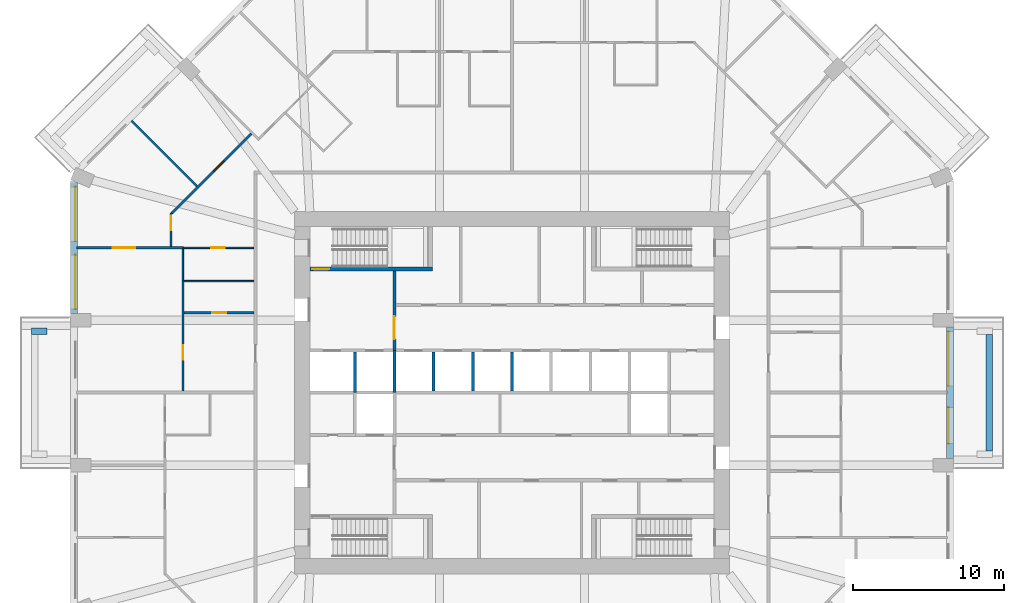
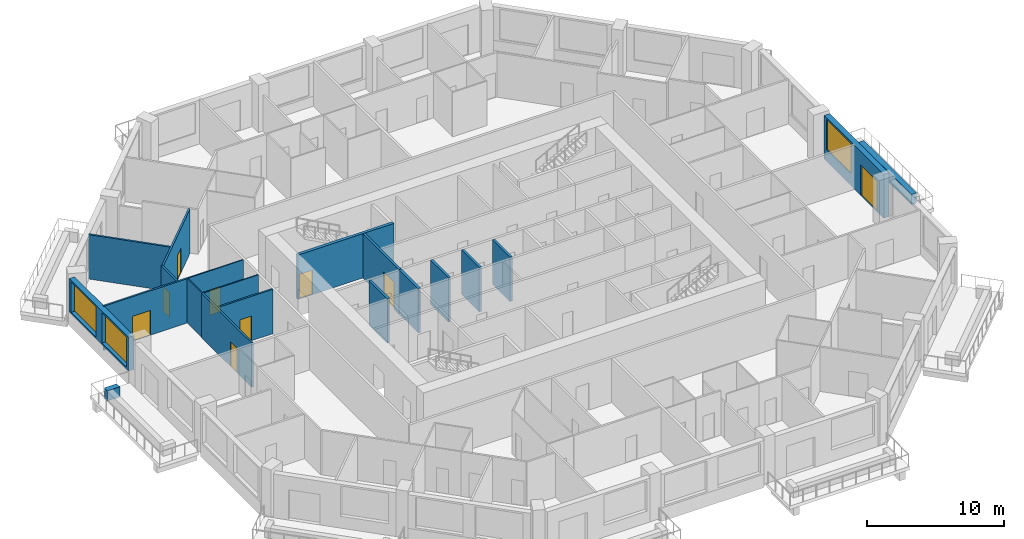
# One storey, part 7 of 13: 20 walls, 9 doors, 3 windows, 12 openings.
"""IFC4 building model written with IfcOpenShell, lengths in metres."""

from ifc_helpers import new_model, si_unit, direction, frame, frame_2d, origin, place, context, subcontext, project, spatial, rectangle, extrude, material, layer, layer_set, type_object, element, fill, save


model = new_model("IFC4")

# Units and contexts
model_context = context("Model", 3, precision=1e-05, world=origin(), true_north=direction((0.0, 1.0)))
body_context = subcontext(model_context, "Body", "Model", "MODEL_VIEW")
ifc_project = project(units=[si_unit("LENGTHUNIT", "METRE"), si_unit("AREAUNIT", "SQUARE_METRE"), si_unit("VOLUMEUNIT", "CUBIC_METRE"), si_unit("PLANEANGLEUNIT", "RADIAN"), si_unit("MASSUNIT", "GRAM", prefix="KILO")], contexts=[model_context])

# Site, building, storey
site_placement = place(None, origin())
site = spatial("IfcSite", under=ifc_project, at=site_placement, CompositionType="ELEMENT")
building_placement = place(site_placement, origin())
building = spatial("IfcBuilding", under=site, at=building_placement, Name="Msitu Wima Residences", CompositionType="ELEMENT")
storey_placement = place(building_placement, frame((0.0, 0.0, 38.10009765625)))
storey = spatial("IfcBuildingStorey", under=building, at=storey_placement, Name="L08", CompositionType="ELEMENT", Elevation=38.10009765625)

# Walls
ifc_material_1 = material(Name="Facing brick")
ifc_layer_1 = layer(ifc_material_1, 0.06494140625, Name="Facing brick")
ifc_material_2 = material(Name="Concrete C40/50", Category="concrete")
ifc_layer_2 = layer(ifc_material_2, 0.156005859375, Name="Concrete C40/50")
ifc_material_3 = material(Name="Waterproofing membrane")
ifc_layer_3 = layer(ifc_material_3, 0.00390625, Name="Waterproofing membrane")
ifc_material_4 = material(Name="Planting soil and planting")
ifc_layer_4 = layer(ifc_material_4, 0.22509765625, Name="Planting soil and planting")
ifc_layer_set_1 = layer_set([ifc_layer_1, ifc_layer_2, ifc_layer_3, ifc_layer_4], Name="Concrete C40/50")
wall_type_1 = type_object("IfcWallType", Name="Balcony planter PLANTER PL450", PredefinedType="USERDEFINED", material=ifc_layer_set_1)
wall_1_placement = place(storey_placement, frame((31.625, -3.85009765625, 0.0), z_axis=(0.0, 0.0, 1.0), x_axis=(0.0, 1.0, 0.0)))
element("IfcWall", 1, at=wall_1_placement, inside=storey, type_object=wall_type_1, Name="Balcony planter E1 L08", ObjectType="PLANTER", PredefinedType="USERDEFINED", context=body_context, shape_type="SweptSolid", body=[
    extrude(rectangle(XDim=7.7001953125, YDim=0.449951171875, at=frame_2d((3.85009765625, 0.0))), origin(), (0.0, 0.0, 1.0), 0.89990234375),
])
wall_2_placement = place(storey_placement, frame((-30.800048828125, 4.074951171875, 0.0), z_axis=(0.0, 0.0, 1.0), x_axis=(-1.0, 0.0, 0.0)))
element("IfcWall", 2, at=wall_2_placement, inside=storey, type_object=wall_type_1, Name="Balcony planter W1 L08", ObjectType="PLANTER", PredefinedType="USERDEFINED", context=body_context, shape_type="SweptSolid", body=[
    extrude(rectangle(XDim=1.050048828125, YDim=0.449951171875, at=frame_2d((0.52490234375, 0.0))), origin(), (0.0, 0.0, 1.0), 0.89990234375),
])

# Wall, openings, door, window
ifc_material_5 = material(Name="Brick (red buff mix)", Category="masonry")
ifc_layer_5 = layer(ifc_material_5, 0.449951171875)
ifc_layer_set_2 = layer_set([ifc_layer_5], Name="Brick (red buff mix)")
wall_type_2 = type_object("IfcWallType", Name="Brick infill wall BW450", PredefinedType="SOLIDWALL", material=ifc_layer_set_2)
wall_3_placement = place(storey_placement, frame((29.02490234375, -4.35009765625, 0.0), z_axis=(0.0, 0.0, 1.0), x_axis=(0.0, 1.0, 0.0)))
wall_3 = element("IfcWall", 3, at=wall_3_placement, inside=storey, type_object=wall_type_2, Name="Brick infill wall L08 E1", PredefinedType="SOLIDWALL", context=body_context, shape_type="SweptSolid", body=[
    extrude(rectangle(XDim=8.7001953125, YDim=0.449951171875, at=frame_2d((4.35009765625, 0.0))), origin(), (0.0, 0.0, 1.0), 3.89990234375),
])
opening_1_placement = place(wall_3_placement, frame((0.97509765625, 0.0, 0.0)))
opening_1 = element("IfcOpeningElement", 4, at=opening_1_placement, cuts=wall_3, Name="Opening D08-10.001", PredefinedType="OPENING", context=body_context, shape_type="SweptSolid", body=[
    extrude(rectangle(XDim=2.39990234375, YDim=2.699951171875, at=frame_2d((1.199951171875, 1.35009765625))), frame((0.0, 0.23486328125, 0.0), z_axis=(0.0, -1.0, 0.0), x_axis=(1.0, 0.0, 0.0)), (0.0, 0.0, 1.0), 0.469970703125),
])
opening_2_placement = place(wall_3_placement, frame((4.800048828125, 0.0, 1.050048828125)))
opening_2 = element("IfcOpeningElement", 5, at=opening_2_placement, cuts=wall_3, Name="Opening W08-10.003", PredefinedType="OPENING", context=body_context, shape_type="SweptSolid", body=[
    extrude(rectangle(XDim=3.60009765625, YDim=2.699951171875, at=frame_2d((1.800048828125, 1.35009765625))), frame((0.0, 0.23486328125, 0.0), z_axis=(0.0, -1.0, 0.0), x_axis=(1.0, 0.0, 0.0)), (0.0, 0.0, 1.0), 0.469970703125),
])
ifc_material_6 = material(Name="Anodised aluminium, bronze finish, clear low-emissivity double glazing", Category="aluminium")
door_type_1 = type_object("IfcDoorType", Name="Balcony door D2400x2700", OperationType="SLIDING_TO_LEFT", PredefinedType="DOOR", material=ifc_material_6)
door_1_placement = place(opening_1_placement, origin())
door_1 = element("IfcDoor", 6, at=door_1_placement, inside=storey, type_object=door_type_1, Name="Balcony door L08 E1", OperationType="SINGLE_SWING_LEFT", OverallHeight=2.699951171875, OverallWidth=2.39990234375, PredefinedType="DOOR", context=body_context, shape_type="SweptSolid", body=[
    extrude(rectangle(XDim=2.39990234375, YDim=2.699951171875, at=frame_2d((1.199951171875, 1.35009765625))), frame((0.0, 0.1298828125, 0.0), z_axis=(0.0, -1.0, 0.0), x_axis=(1.0, 0.0, 0.0)), (0.0, 0.0, 1.0), 0.050048828125),
])
fill(opening_1, door_1)
window_type = type_object("IfcWindowType", Name="Window W3600x2700", PartitioningType="DOUBLE_PANEL_VERTICAL", PredefinedType="WINDOW", material=ifc_material_6)
window_1_placement = place(opening_2_placement, origin())
window_1 = element("IfcWindow", 7, at=window_1_placement, inside=storey, type_object=window_type, Name="Window L08 E1.2", OverallHeight=2.699951171875, OverallWidth=3.60009765625, PartitioningType="SINGLE_PANEL", PredefinedType="WINDOW", context=body_context, shape_type="SweptSolid", body=[
    extrude(rectangle(XDim=3.60009765625, YDim=2.699951171875, at=frame_2d((1.800048828125, 1.35009765625))), frame((0.0, 0.135009765625, 0.0), z_axis=(0.0, -1.0, 0.0), x_axis=(1.0, 0.0, 0.0)), (0.0, 0.0, 1.0), 0.06005859375),
])
fill(opening_2, window_1)

# Wall, openings, windows
wall_4_placement = place(storey_placement, frame((-29.02490234375, 13.912841796875, 0.89990234375), z_axis=(0.0, 0.0, 1.0), x_axis=(0.0, -1.0, 0.0)))
wall_4 = element("IfcWall", 8, at=wall_4_placement, inside=storey, type_object=wall_type_2, Name="Brick infill wall L08 W0", PredefinedType="SOLIDWALL", context=body_context, shape_type="SweptSolid", body=[
    extrude(rectangle(XDim=8.662841796875, YDim=0.449951171875, at=frame_2d((4.33154296875, 0.0))), origin(), (0.0, 0.0, 1.0), 3.0),
])
opening_3_placement = place(wall_4_placement, frame((0.281494140625, 0.0, 0.14990234375)))
opening_3 = element("IfcOpeningElement", 9, at=opening_3_placement, cuts=wall_4, Name="Opening W08-10.026", PredefinedType="OPENING", context=body_context, shape_type="SweptSolid", body=[
    extrude(rectangle(XDim=3.60009765625, YDim=2.699951171875, at=frame_2d((1.800048828125, 1.35009765625))), frame((0.0, 0.23486328125, 0.0), z_axis=(0.0, -1.0, 0.0), x_axis=(1.0, 0.0, 0.0)), (0.0, 0.0, 1.0), 0.469970703125),
])
opening_4_placement = place(wall_4_placement, frame((4.781494140625, 0.0, 0.14990234375)))
opening_4 = element("IfcOpeningElement", 10, at=opening_4_placement, cuts=wall_4, Name="Opening W08-10.027", PredefinedType="OPENING", context=body_context, shape_type="SweptSolid", body=[
    extrude(rectangle(XDim=3.60009765625, YDim=2.699951171875, at=frame_2d((1.800048828125, 1.35009765625))), frame((0.0, 0.23486328125, 0.0), z_axis=(0.0, -1.0, 0.0), x_axis=(1.0, 0.0, 0.0)), (0.0, 0.0, 1.0), 0.469970703125),
])
window_2_placement = place(opening_3_placement, origin())
window_2 = element("IfcWindow", 11, at=window_2_placement, inside=storey, type_object=window_type, Name="Window L08 W0.1", OverallHeight=2.699951171875, OverallWidth=3.60009765625, PartitioningType="SINGLE_PANEL", PredefinedType="WINDOW", context=body_context, shape_type="SweptSolid", body=[
    extrude(rectangle(XDim=3.60009765625, YDim=2.699951171875, at=frame_2d((1.800048828125, 1.35009765625))), frame((0.0, 0.135009765625, 0.0), z_axis=(0.0, -1.0, 0.0), x_axis=(1.0, 0.0, 0.0)), (0.0, 0.0, 1.0), 0.06005859375),
])
fill(opening_3, window_2)
window_3_placement = place(opening_4_placement, origin())
window_3 = element("IfcWindow", 12, at=window_3_placement, inside=storey, type_object=window_type, Name="Window L08 W0.2", OverallHeight=2.699951171875, OverallWidth=3.60009765625, PartitioningType="SINGLE_PANEL", PredefinedType="WINDOW", context=body_context, shape_type="SweptSolid", body=[
    extrude(rectangle(XDim=3.60009765625, YDim=2.699951171875, at=frame_2d((1.800048828125, 1.35009765625))), frame((0.0, 0.135009765625, 0.0), z_axis=(0.0, -1.0, 0.0), x_axis=(1.0, 0.0, 0.0)), (0.0, 0.0, 1.0), 0.06005859375),
])
fill(opening_4, window_3)

# Wall, opening, door
ifc_material_7 = material(Name="Plaster")
ifc_layer_6 = layer(ifc_material_7, 0.011962890625, Name="Plaster")
ifc_material_8 = material(Name="Concrete blockwork", Category="masonry")
ifc_layer_7 = layer(ifc_material_8, 0.176025390625, Name="Concrete blockwork")
ifc_layer_8 = layer(ifc_material_7, 0.011962890625, Name="Plaster")
ifc_layer_set_3 = layer_set([ifc_layer_6, ifc_layer_7, ifc_layer_8], Name="Concrete blockwork")
wall_type_3 = type_object("IfcWallType", Name="Corridor wall FW200", PredefinedType="PARTITIONING", material=ifc_layer_set_3)
wall_5_placement = place(storey_placement, frame((-7.800048828125, 2.800048828125, 0.0), z_axis=(0.0, 0.0, 1.0), x_axis=(0.0, 1.0, 0.0)))
wall_5 = element("IfcWall", 13, at=wall_5_placement, inside=storey, type_object=wall_type_3, Name="Corridor wall", PredefinedType="PARTITIONING", context=body_context, shape_type="SweptSolid", body=[
    extrude(rectangle(XDim=5.27490234375, YDim=0.199951171875, at=frame_2d((2.637451171875, 0.0))), origin(), (0.0, 0.0, 1.0), 3.949951171875),
])
opening_5_placement = place(wall_5_placement, frame((0.75, 0.0, 0.0)))
opening_5 = element("IfcOpeningElement", 14, at=opening_5_placement, cuts=wall_5, Name="Opening D08-10.017", PredefinedType="OPENING", context=body_context, shape_type="SweptSolid", body=[
    extrude(rectangle(XDim=1.5, YDim=2.39990234375, at=frame_2d((0.75, 1.199951171875))), frame((0.0, 0.10986328125, 0.0), z_axis=(0.0, -1.0, 0.0), x_axis=(1.0, 0.0, 0.0)), (0.0, 0.0, 1.0), 0.219970703125),
])
ifc_material_9 = material(Name="Steel framed glazed door, fire resisting", Category="steel")
door_type_2 = type_object("IfcDoorType", Name="Lobby door D07 1500x2400", OperationType="DOUBLE_DOOR_SINGLE_SWING", PredefinedType="DOOR", material=ifc_material_9)
door_2_placement = place(opening_5_placement, origin())
door_2 = element("IfcDoor", 15, at=door_2_placement, inside=storey, type_object=door_type_2, Name="Lobby door", OperationType="DOUBLE_DOOR_SINGLE_SWING", OverallHeight=2.39990234375, OverallWidth=1.5, PredefinedType="DOOR", context=body_context, shape_type="SweptSolid", body=[
    extrude(rectangle(XDim=1.5, YDim=2.39990234375, at=frame_2d((0.75, 1.199951171875))), frame((0.0, 0.02490234375, 0.0), z_axis=(0.0, -1.0, 0.0), x_axis=(1.0, 0.0, 0.0)), (0.0, 0.0, 1.0), 0.050048828125),
])
fill(opening_5, door_2)

ifc_layer_9 = layer(ifc_material_7, 0.011962890625, Name="Plaster")
ifc_layer_10 = layer(ifc_material_8, 0.1259765625, Name="Concrete blockwork")
ifc_layer_11 = layer(ifc_material_7, 0.011962890625, Name="Plaster")
ifc_layer_set_4 = layer_set([ifc_layer_9, ifc_layer_10, ifc_layer_11], Name="Concrete blockwork")
wall_type_4 = type_object("IfcWallType", Name="Partition PW150", PredefinedType="PARTITIONING", material=ifc_layer_set_4)
wall_6_placement = place(storey_placement, frame((-28.85498046875, 9.60009765625, 0.0), z_axis=(0.0, 0.0, 1.0), x_axis=(1.0, 0.0, 0.0)))
wall_6 = element("IfcWall", 16, at=wall_6_placement, inside=storey, type_object=wall_type_4, Name="Partition", PredefinedType="PARTITIONING", context=body_context, shape_type="SweptSolid", body=[
    extrude(rectangle(XDim=7.074951171875, YDim=0.14990234375, at=frame_2d((3.53759765625, 0.0))), origin(), (0.0, 0.0, 1.0), 3.949951171875),
])
opening_6_placement = place(wall_6_placement, frame((2.39990234375, 0.0, 0.0)))
opening_6 = element("IfcOpeningElement", 17, at=opening_6_placement, cuts=wall_6, Name="Opening D08-10.045", PredefinedType="OPENING", context=body_context, shape_type="SweptSolid", body=[
    extrude(rectangle(XDim=1.5, YDim=2.199951171875, at=frame_2d((0.75, 1.10009765625))), frame((0.0, 0.0849609375, 0.0), z_axis=(0.0, -1.0, 0.0), x_axis=(1.0, 0.0, 0.0)), (0.0, 0.0, 1.0), 0.169921875),
])
ifc_material_10 = material(Name="Timber double door", Category="wood")
door_type_3 = type_object("IfcDoorType", Name="Double door D04 1500x2200", OperationType="DOUBLE_DOOR_SINGLE_SWING", PredefinedType="DOOR", material=ifc_material_10)
door_3_placement = place(opening_6_placement, origin())
door_3 = element("IfcDoor", 18, at=door_3_placement, inside=storey, type_object=door_type_3, Name="Double door", OperationType="DOUBLE_DOOR_SINGLE_SWING", OverallHeight=2.199951171875, OverallWidth=1.5, PredefinedType="DOOR", context=body_context, shape_type="SweptSolid", body=[
    extrude(rectangle(XDim=1.5, YDim=2.199951171875, at=frame_2d((0.75, 1.10009765625))), frame((0.0, 0.02490234375, 0.0), z_axis=(0.0, -1.0, 0.0), x_axis=(1.0, 0.0, 0.0)), (0.0, 0.0, 1.0), 0.050048828125),
])
fill(opening_6, door_3)

# Wall
wall_7_placement = place(storey_placement, frame((-25.2177734375, 18.017578125, 0.0), z_axis=(0.0, 0.0, 1.0), x_axis=(0.707126629519, -0.707086932297, 0.0)))
element("IfcWall", 19, at=wall_7_placement, inside=storey, type_object=wall_type_4, Name="Partition", PredefinedType="PARTITIONING", context=body_context, shape_type="SweptSolid", body=[
    extrude(rectangle(XDim=6.150146484375, YDim=0.14990234375, at=frame_2d((3.0751953125, 0.0))), origin(), (0.0, 0.0, 1.0), 3.949951171875),
])

# Wall, opening, door
wall_8_placement = place(storey_placement, frame((-22.60009765625, 9.675048828125, 0.0), z_axis=(0.0, 0.0, 1.0), x_axis=(0.0, 1.0, 0.0)))
wall_8 = element("IfcWall", 20, at=wall_8_placement, inside=storey, type_object=wall_type_4, Name="Partition", PredefinedType="PARTITIONING", context=body_context, shape_type="SweptSolid", body=[
    extrude(rectangle(XDim=2.23193359375, YDim=0.14990234375, at=frame_2d((1.115966796875, 0.0))), origin(), (0.0, 0.0, 1.0), 3.949951171875),
])
opening_7_placement = place(wall_8_placement, frame((1.10009765625, 0.0, 0.0)))
opening_7 = element("IfcOpeningElement", 21, at=opening_7_placement, cuts=wall_8, Name="Opening D08-10.047", PredefinedType="OPENING", context=body_context, shape_type="SweptSolid", body=[
    extrude(rectangle(XDim=0.949951171875, YDim=2.199951171875, at=frame_2d((0.47509765625, 1.10009765625))), frame((0.0, 0.0849609375, 0.0), z_axis=(0.0, -1.0, 0.0), x_axis=(1.0, 0.0, 0.0)), (0.0, 0.0, 1.0), 0.169921875),
])
ifc_material_11 = material(Name="Timber flush door", Category="wood")
door_type_4 = type_object("IfcDoorType", Name="Room door D12 950x2200", OperationType="SINGLE_SWING_LEFT", PredefinedType="DOOR", material=ifc_material_11)
door_4_placement = place(opening_7_placement, origin())
door_4 = element("IfcDoor", 22, at=door_4_placement, inside=storey, type_object=door_type_4, Name="Room door", OperationType="SINGLE_SWING_LEFT", OverallHeight=2.199951171875, OverallWidth=0.949951171875, PredefinedType="DOOR", context=body_context, shape_type="SweptSolid", body=[
    extrude(rectangle(XDim=0.949951171875, YDim=2.199951171875, at=frame_2d((0.47509765625, 1.10009765625))), frame((0.0, 0.02490234375, 0.0), z_axis=(0.0, -1.0, 0.0), x_axis=(1.0, 0.0, 0.0)), (0.0, 0.0, 1.0), 0.050048828125),
])
fill(opening_7, door_4)

wall_9_placement = place(storey_placement, frame((-22.546875, 11.885009765625, 0.0), z_axis=(0.0, 0.0, 1.0), x_axis=(0.707106781187, 0.707106781187, 0.0)))
wall_9 = element("IfcWall", 23, at=wall_9_placement, inside=storey, type_object=wall_type_4, Name="Partition", PredefinedType="PARTITIONING", context=body_context, shape_type="SweptSolid", body=[
    extrude(rectangle(XDim=7.4638671875, YDim=0.14990234375, at=frame_2d((3.73193359375, 0.0))), origin(), (0.0, 0.0, 1.0), 3.949951171875),
])
opening_8_placement = place(wall_9_placement, frame((3.949951171875, 0.0, 0.0)))
opening_8 = element("IfcOpeningElement", 24, at=opening_8_placement, cuts=wall_9, Name="Opening D08-10.048", PredefinedType="OPENING", context=body_context, shape_type="SweptSolid", body=[
    extrude(rectangle(XDim=0.949951171875, YDim=2.199951171875, at=frame_2d((0.47509765625, 1.10009765625))), frame((0.0, 0.0849609375, 0.0), z_axis=(0.0, -1.0, 0.0), x_axis=(1.0, 0.0, 0.0)), (0.0, 0.0, 1.0), 0.169921875),
])
door_5_placement = place(opening_8_placement, origin())
door_5 = element("IfcDoor", 25, at=door_5_placement, inside=storey, type_object=door_type_4, Name="Room door", OperationType="SINGLE_SWING_LEFT", OverallHeight=2.199951171875, OverallWidth=0.949951171875, PredefinedType="DOOR", context=body_context, shape_type="SweptSolid", body=[
    extrude(rectangle(XDim=0.949951171875, YDim=2.199951171875, at=frame_2d((0.47509765625, 1.10009765625))), frame((0.0, 0.02490234375, 0.0), z_axis=(0.0, -1.0, 0.0), x_axis=(1.0, 0.0, 0.0)), (0.0, 0.0, 1.0), 0.050048828125),
])
fill(opening_8, door_5)

wall_10_placement = place(storey_placement, frame((-21.800048828125, 0.10009765625, 0.0), z_axis=(0.0, 0.0, 1.0), x_axis=(0.0, 1.0, 0.0)))
wall_10 = element("IfcWall", 26, at=wall_10_placement, inside=storey, type_object=wall_type_4, Name="Partition", PredefinedType="PARTITIONING", context=body_context, shape_type="SweptSolid", body=[
    extrude(rectangle(XDim=7.31982421875, YDim=0.14990234375, at=frame_2d((3.659912109375, 0.0))), origin(), (0.0, 0.0, 1.0), 3.949951171875),
])
opening_9_placement = place(wall_10_placement, frame((2.10009765625, 0.0, 0.0)))
opening_9 = element("IfcOpeningElement", 27, at=opening_9_placement, cuts=wall_10, Name="Opening D08-10.044", PredefinedType="OPENING", context=body_context, shape_type="SweptSolid", body=[
    extrude(rectangle(XDim=0.949951171875, YDim=2.199951171875, at=frame_2d((0.47509765625, 1.10009765625))), frame((0.0, 0.0849609375, 0.0), z_axis=(0.0, -1.0, 0.0), x_axis=(1.0, 0.0, 0.0)), (0.0, 0.0, 1.0), 0.169921875),
])
door_6_placement = place(opening_9_placement, origin())
door_6 = element("IfcDoor", 28, at=door_6_placement, inside=storey, type_object=door_type_4, Name="Room door", OperationType="SINGLE_SWING_LEFT", OverallHeight=2.199951171875, OverallWidth=0.949951171875, PredefinedType="DOOR", context=body_context, shape_type="SweptSolid", body=[
    extrude(rectangle(XDim=0.949951171875, YDim=2.199951171875, at=frame_2d((0.47509765625, 1.10009765625))), frame((0.0, 0.02490234375, 0.0), z_axis=(0.0, -1.0, 0.0), x_axis=(1.0, 0.0, 0.0)), (0.0, 0.0, 1.0), 0.050048828125),
])
fill(opening_9, door_6)

wall_11_placement = place(storey_placement, frame((-21.72509765625, 5.300048828125, 0.0), z_axis=(0.0, 0.0, 1.0), x_axis=(1.0, 0.0, 0.0)))
wall_11 = element("IfcWall", 29, at=wall_11_placement, inside=storey, type_object=wall_type_4, Name="Partition", PredefinedType="PARTITIONING", context=body_context, shape_type="SweptSolid", body=[
    extrude(rectangle(XDim=4.625, YDim=0.14990234375, at=frame_2d((2.3125, 0.0))), origin(), (0.0, 0.0, 1.0), 3.949951171875),
])
opening_10_placement = place(wall_11_placement, frame((1.85009765625, 0.0, 0.0)))
opening_10 = element("IfcOpeningElement", 30, at=opening_10_placement, cuts=wall_11, Name="Opening D08-10.046", PredefinedType="OPENING", context=body_context, shape_type="SweptSolid", body=[
    extrude(rectangle(XDim=0.949951171875, YDim=2.199951171875, at=frame_2d((0.47509765625, 1.10009765625))), frame((0.0, 0.0849609375, 0.0), z_axis=(0.0, -1.0, 0.0), x_axis=(1.0, 0.0, 0.0)), (0.0, 0.0, 1.0), 0.169921875),
])
door_7_placement = place(opening_10_placement, origin())
door_7 = element("IfcDoor", 31, at=door_7_placement, inside=storey, type_object=door_type_4, Name="Room door", OperationType="SINGLE_SWING_RIGHT", OverallHeight=2.199951171875, OverallWidth=0.949951171875, PredefinedType="DOOR", context=body_context, shape_type="SweptSolid", body=[
    extrude(rectangle(XDim=0.949951171875, YDim=2.199951171875, at=frame_2d((0.47509765625, 1.10009765625))), frame((0.0, 0.02490234375, 0.0), z_axis=(0.0, -1.0, 0.0), x_axis=(1.0, 0.0, 0.0)), (0.0, 0.0, 1.0), 0.050048828125),
])
fill(opening_10, door_7)

# Walls
ifc_material_12 = material(Name="Fire-rated board")
ifc_layer_12 = layer(ifc_material_12, 0.02490234375, Name="Fire-rated board")
ifc_material_13 = material(Name="Light-gauge stud framing with mineral wool")
ifc_layer_13 = layer(ifc_material_13, 0.14990234375, Name="Light-gauge stud framing with mineral wool")
ifc_layer_14 = layer(ifc_material_12, 0.02490234375, Name="Fire-rated board")
ifc_layer_set_5 = layer_set([ifc_layer_12, ifc_layer_13, ifc_layer_14], Name="Light-gauge stud framing with mineral wool")
wall_type_5 = type_object("IfcWallType", Name="Shaft wall SH200", PredefinedType="PARTITIONING", material=ifc_layer_set_5)
wall_12_placement = place(storey_placement, frame((-10.39990234375, 0.0, 0.0), z_axis=(0.0, 0.0, 1.0), x_axis=(0.0, 1.0, 0.0)))
element("IfcWall", 32, at=wall_12_placement, inside=storey, type_object=wall_type_5, Name="Shaft wall", PredefinedType="PARTITIONING", context=body_context, shape_type="SweptSolid", body=[
    extrude(rectangle(XDim=2.699951171875, YDim=0.199951171875, at=frame_2d((1.35009765625, 0.0))), origin(), (0.0, 0.0, 1.0), 3.949951171875),
])
wall_13_placement = place(storey_placement, frame((-7.800048828125, 0.0, 0.0), z_axis=(0.0, 0.0, 1.0), x_axis=(0.0, 1.0, 0.0)))
element("IfcWall", 33, at=wall_13_placement, inside=storey, type_object=wall_type_5, Name="Shaft wall", PredefinedType="PARTITIONING", context=body_context, shape_type="SweptSolid", body=[
    extrude(rectangle(XDim=2.800048828125, YDim=0.199951171875, at=frame_2d((1.39990234375, 0.0))), origin(), (0.0, 0.0, 1.0), 3.949951171875),
])
for number, where, z_axis, x_axis, name in (
    (34, (-5.199951171875, 0.10009765625, 0.0), (0.0, 0.0, 1.0), (0.0, 1.0, 0.0), "Shaft wall"),
    (35, (-2.60009765625, 0.10009765625, 0.0), (0.0, 0.0, 1.0), (0.0, 1.0, 0.0), "Shaft wall"),
    (36, (0.0, 0.10009765625, 0.0), (0.0, 0.0, 1.0), (0.0, 1.0, 0.0), "Shaft wall"),
):
    element("IfcWall", number, at=place(storey_placement, frame(where, z_axis=z_axis, x_axis=x_axis)), inside=storey, type_object=wall_type_5, Name=name, PredefinedType="PARTITIONING", context=body_context, shape_type="SweptSolid", body=[
        extrude(rectangle(XDim=2.599853515625, YDim=0.199951171875, at=frame_2d((1.2998046875, 0.0))), origin(), (0.0, 0.0, 1.0), 3.949951171875),
    ])

# Wall, opening, door
ifc_material_14 = material(Name="Concrete C50/60", Category="concrete")
ifc_layer_15 = layer(ifc_material_14, 0.25)
ifc_layer_set_6 = layer_set([ifc_layer_15], Name="Concrete C50/60")
wall_type_6 = type_object("IfcWallType", Name="Stair enclosure wall SW250", PredefinedType="SHEAR", material=ifc_layer_set_6)
wall_14_placement = place(storey_placement, frame((-13.3701171875, 8.199951171875, 0.0), z_axis=(0.0, 0.0, 1.0), x_axis=(1.0, 0.0, 0.0)))
wall_14 = element("IfcWall", 37, at=wall_14_placement, inside=storey, type_object=wall_type_6, Name="Stair enclosure wall", PredefinedType="SHEAR", context=body_context, shape_type="SweptSolid", body=[
    extrude(rectangle(XDim=8.09521484375, YDim=0.25, at=frame_2d((4.047607421875, 0.0))), origin(), (0.0, 0.0, 1.0), 3.949951171875),
])
opening_11_placement = place(wall_14_placement, frame((0.14990234375, 0.0, 0.0)))
opening_11 = element("IfcOpeningElement", 38, at=opening_11_placement, cuts=wall_14, Name="Opening D08-10.036", PredefinedType="OPENING", context=body_context, shape_type="SweptSolid", body=[
    extrude(rectangle(XDim=1.10009765625, YDim=2.199951171875, at=frame_2d((0.550048828125, 1.10009765625))), frame((0.0, 0.135009765625, 0.0), z_axis=(0.0, -1.0, 0.0), x_axis=(1.0, 0.0, 0.0)), (0.0, 0.0, 1.0), 0.27001953125),
])
ifc_material_15 = material(Name="Steel door, fire resisting, panic bar", Category="steel")
door_type_5 = type_object("IfcDoorType", Name="Stair door D06 1100x2200", OperationType="SINGLE_SWING_LEFT", PredefinedType="DOOR", material=ifc_material_15)
door_8_placement = place(opening_11_placement, origin())
door_8 = element("IfcDoor", 39, at=door_8_placement, inside=storey, type_object=door_type_5, Name="Stair door", OperationType="SINGLE_SWING_LEFT", OverallHeight=2.199951171875, OverallWidth=1.10009765625, PredefinedType="DOOR", context=body_context, shape_type="SweptSolid", body=[
    extrude(rectangle(XDim=1.10009765625, YDim=2.199951171875, at=frame_2d((0.550048828125, 1.10009765625))), frame((0.0, 0.02490234375, 0.0), z_axis=(0.0, -1.0, 0.0), x_axis=(1.0, 0.0, 0.0)), (0.0, 0.0, 1.0), 0.050048828125),
])
fill(opening_11, door_8)

ifc_material_16 = material(Name="Ceramic tiles")
ifc_layer_16 = layer(ifc_material_16, 0.008056640625, Name="Ceramic tiles")
ifc_material_17 = material(Name="Moisture-resistant board")
ifc_layer_17 = layer(ifc_material_17, 0.012451171875, Name="Moisture-resistant board")
ifc_layer_18 = layer(ifc_material_13, 0.06689453125, Name="Light-gauge stud framing with mineral wool")
ifc_layer_19 = layer(ifc_material_17, 0.012451171875, Name="Moisture-resistant board")
ifc_layer_set_7 = layer_set([ifc_layer_16, ifc_layer_17, ifc_layer_18, ifc_layer_19], Name="Light-gauge stud framing with mineral wool")
wall_type_7 = type_object("IfcWallType", Name="Wet wall PW100", PredefinedType="PARTITIONING", material=ifc_layer_set_7)
wall_15_placement = place(storey_placement, frame((-21.780029296875, 9.60009765625, 0.0), z_axis=(0.0, 0.0, 1.0), x_axis=(1.0, 0.0, 0.0)))
wall_15 = element("IfcWall", 40, at=wall_15_placement, inside=storey, type_object=wall_type_7, Name="Wet wall", PredefinedType="PARTITIONING", context=body_context, shape_type="SweptSolid", body=[
    extrude(rectangle(XDim=4.679931640625, YDim=0.10009765625, at=frame_2d((2.33984375, 0.0))), origin(), (0.0, 0.0, 1.0), 3.949951171875),
])
opening_12_placement = place(wall_15_placement, frame((1.85009765625, 0.0, 0.0)))
opening_12 = element("IfcOpeningElement", 41, at=opening_12_placement, cuts=wall_15, Name="Opening D08-10.056", PredefinedType="OPENING", context=body_context, shape_type="SweptSolid", body=[
    extrude(rectangle(XDim=0.89990234375, YDim=2.199951171875, at=frame_2d((0.449951171875, 1.10009765625))), frame((0.0, 0.06005859375, 0.0), z_axis=(0.0, -1.0, 0.0), x_axis=(1.0, 0.0, 0.0)), (0.0, 0.0, 1.0), 0.1201171875),
])
ifc_material_18 = material(Name="Timber flush door, moisture resistant", Category="wood")
door_type_6 = type_object("IfcDoorType", Name="Bathroom door D03 900x2200", OperationType="SINGLE_SWING_LEFT", PredefinedType="DOOR", material=ifc_material_18)
door_9_placement = place(opening_12_placement, origin())
door_9 = element("IfcDoor", 42, at=door_9_placement, inside=storey, type_object=door_type_6, Name="Bathroom door", OperationType="SINGLE_SWING_RIGHT", OverallHeight=2.199951171875, OverallWidth=0.89990234375, PredefinedType="DOOR", context=body_context, shape_type="SweptSolid", body=[
    extrude(rectangle(XDim=0.89990234375, YDim=2.199951171875, at=frame_2d((0.449951171875, 1.10009765625))), frame((0.0, 0.02490234375, 0.0), z_axis=(0.0, -1.0, 0.0), x_axis=(1.0, 0.0, 0.0)), (0.0, 0.0, 1.0), 0.050048828125),
])
fill(opening_12, door_9)

# Walls
wall_16_placement = place(storey_placement, frame((-21.800048828125, 7.419921875, 0.0), z_axis=(0.0, 0.0, 1.0), x_axis=(0.0, 1.0, 0.0)))
element("IfcWall", 43, at=wall_16_placement, inside=storey, type_object=wall_type_7, Name="Wet wall", PredefinedType="PARTITIONING", context=body_context, shape_type="SweptSolid", body=[
    extrude(rectangle(XDim=2.10498046875, YDim=0.10009765625, at=frame_2d((1.052490234375, 0.0))), origin(), (0.0, 0.0, 1.0), 3.949951171875),
])
wall_17_placement = place(storey_placement, frame((-21.72509765625, 7.39990234375, 0.0), z_axis=(0.0, 0.0, 1.0), x_axis=(1.0, 0.0, 0.0)))
element("IfcWall", 44, at=wall_17_placement, inside=storey, type_object=wall_type_7, Name="Wet wall", PredefinedType="PARTITIONING", context=body_context, shape_type="SweptSolid", body=[
    extrude(rectangle(XDim=4.625, YDim=0.10009765625, at=frame_2d((2.3125, 0.0))), origin(), (0.0, 0.0, 1.0), 3.949951171875),
])

save(model, "model.ifc")
